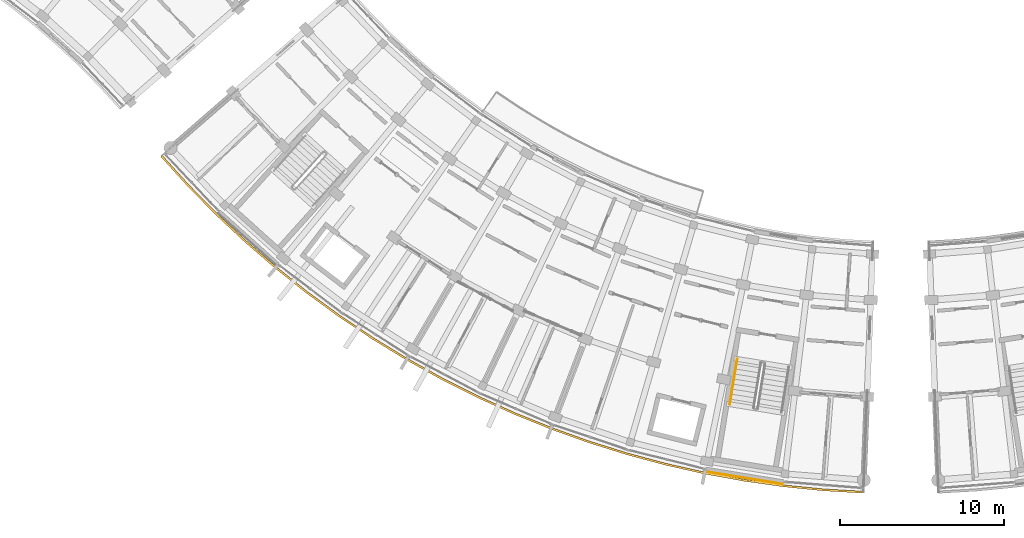
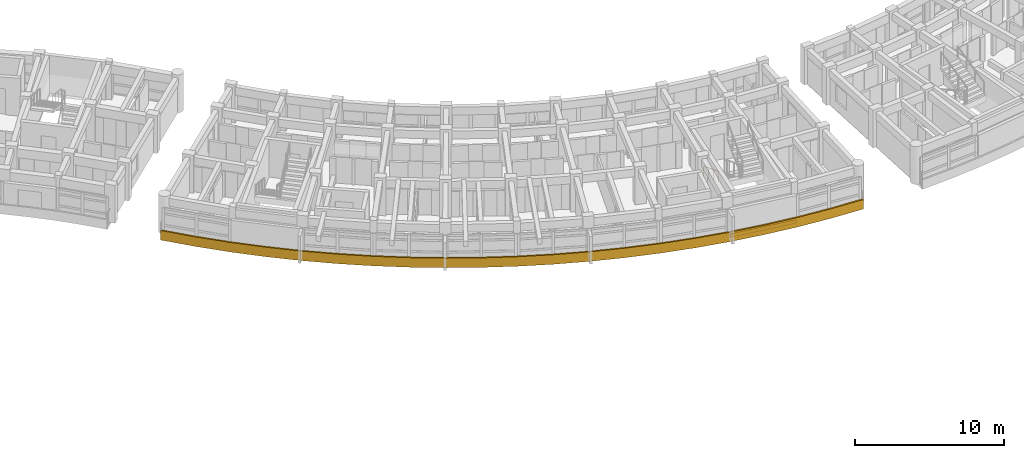
# One storey, part 48 of 56: 2 railings, 1 covering.
"""IFC4 building model written with IfcOpenShell, lengths in metres."""

from ifc_helpers import new_model, si_unit, direction, frame, origin, origin_2d, place, context, subcontext, project, spatial, polyline, rectangle, circle, outline, extrude, material, layer, layer_set, type_object, element, save


model = new_model("IFC4")

# Units and contexts
model_context = context("Model", 3, precision=1e-05, world=origin(), true_north=direction((0.0, 1.0)))
body_context = subcontext(model_context, "Body", "Model", "MODEL_VIEW")
ifc_project = project(units=[si_unit("LENGTHUNIT", "METRE"), si_unit("AREAUNIT", "SQUARE_METRE"), si_unit("VOLUMEUNIT", "CUBIC_METRE"), si_unit("PLANEANGLEUNIT", "RADIAN"), si_unit("MASSUNIT", "GRAM", prefix="KILO")], contexts=[model_context])

# Site, building, storey
site_placement = place(None, origin())
site = spatial("IfcSite", under=ifc_project, at=site_placement, CompositionType="ELEMENT")
building_placement = place(site_placement, origin())
building = spatial("IfcBuilding", under=site, at=building_placement, Name="Zimvara Arc Housing Community", CompositionType="ELEMENT")
storey_placement = place(building_placement, frame((0.0, 0.0, 17.39990234375)))
storey = spatial("IfcBuildingStorey", under=building, at=storey_placement, Name="L05", CompositionType="ELEMENT", Elevation=17.39990234375)

# Covering
ifc_material_1 = material(Name="Pale-Gold Anodised Aluminium Cladding", Category="aluminium")
ifc_layer = layer(ifc_material_1, 0.0400390625)
ifc_layer_set = layer_set([ifc_layer], Name="Pale-Gold Anodised Aluminium Cladding")
covering_type = type_object("IfcCoveringType", Name="CLD-GOLD-01", PredefinedType="CLADDING", material=ifc_layer_set)
covering_placement = place(storey_placement, frame((116.45068359375, 51.15380859375, 0.01025390625), z_axis=(0.0, 0.0, 1.0), x_axis=(0.987080395872, -0.160225753504, 0.0)))
element("IfcCovering", 1, at=covering_placement, inside=storey, type_object=covering_type, Name="cld:blkC:L05:out:b8", PredefinedType="CLADDING", context=body_context, shape_type="SweptSolid", body=[
    extrude(rectangle(XDim=4.748779296875, YDim=0.0400390625, at=origin_2d()), origin(), (0.0, 0.0, 1.0), 0.300048828125),
])

# Railings
ifc_material_2 = material(Name="Pale-Gold Anodised Aluminium AW-6063", Category="aluminium")
railing_type_1 = type_object("IfcRailingType", Name="RLG-FAS-780", PredefinedType="BALUSTRADE", material=ifc_material_2)
railing_1_placement = place(storey_placement, frame((0.0, 0.0, -0.219970703125)))
element("IfcRailing", 2, at=railing_1_placement, inside=storey, type_object=railing_type_1, Name="rlg:blkC:L05:gold_out", PredefinedType="BALUSTRADE", context=body_context, shape_type="SweptSolid", body=[
    extrude(outline(polyline([(80.93896484375, 70.706298828125), (82.5751953125, 68.900146484375), (84.28369140625, 67.162109375), (86.061767578125, 65.4951171875), (87.906494140625, 63.90234375), (89.814697265625, 62.38623046875), (91.783203125, 60.94921875), (93.80859375, 59.59375), (95.8876953125, 58.322021484375), (98.01708984375, 57.136474609375), (100.193115234375, 56.03857421875), (102.412109375, 55.03076171875), (104.67041015625, 54.114013671875), (106.96435546875, 53.29052734375), (109.289794921875, 52.561279296875), (111.643310546875, 51.927734375), (114.0205078125, 51.390625), (116.417724609375, 50.950927734375), (118.830810546875, 50.60986328125), (121.256103515625, 50.3671875), (123.68896484375, 50.223876953125), (123.693603515625, 50.343994140625), (121.265625, 50.48681640625), (118.84521484375, 50.728759765625), (116.43701171875, 51.069580078125), (114.04443359375, 51.508056640625), (111.672119140625, 52.044189453125), (109.3232421875, 52.676513671875), (107.00244140625, 53.404296875), (104.71337890625, 54.226318359375), (102.45947265625, 55.140869140625), (100.244873046875, 56.14697265625), (98.0732421875, 57.242431640625), (95.9482421875, 58.42578125), (93.873291015625, 59.69482421875), (91.851806640625, 61.04736328125), (89.887451171875, 62.481689453125), (87.98291015625, 63.99462890625), (86.14208984375, 65.58447265625), (84.367431640625, 67.247802734375), (82.662353515625, 68.982421875), (81.029541015625, 70.78515625), (80.93896484375, 70.706298828125)])), origin(), (0.0, 0.0, 1.0), 0.780029296875),
])
ifc_material_3 = material(Name="Anodised Aluminium AW-6063", Category="aluminium")
railing_type_2 = type_object("IfcRailingType", Name="RLG-HND-900", PredefinedType="HANDRAIL", material=ifc_material_3)
railing_2_placement = place(storey_placement, frame((116.0146484375, 58.391845703125, 0.155029296875)))
element("IfcRailing", 3, at=railing_2_placement, inside=storey, type_object=railing_type_2, Name="L05 ST-C2 stair handrail 1", PredefinedType="HANDRAIL", context=body_context, shape_type="SweptSolid", body=[
    extrude(circle(Radius=0.02392578125, at=origin_2d()), frame((0.0, 0.0, 0.8759765625), z_axis=(-0.143299288836, -0.882883275458, 0.447193957625), x_axis=(0.987082674257, -0.160211716742, 0.0)), (0.0, 0.0, 1.0), 3.119384765625),
    extrude(circle(Radius=0.02099609375, at=origin_2d()), origin(), (0.0, 0.0, 1.0), 0.851806640625),
    extrude(circle(Radius=0.02099609375, at=origin_2d()), frame((-0.14892578125, -0.91796875, 0.465087890625)), (0.0, 0.0, 1.0), 0.851806640625),
    extrude(circle(Radius=0.02099609375, at=origin_2d()), frame((-0.298095703125, -1.836181640625, 0.929931640625)), (0.0, 0.0, 1.0), 0.851806640625),
    extrude(circle(Radius=0.02099609375, at=origin_2d()), frame((-0.447021484375, -2.754150390625, 1.39501953125)), (0.0, 0.0, 1.0), 0.851806640625),
])

save(model, "model.ifc")
